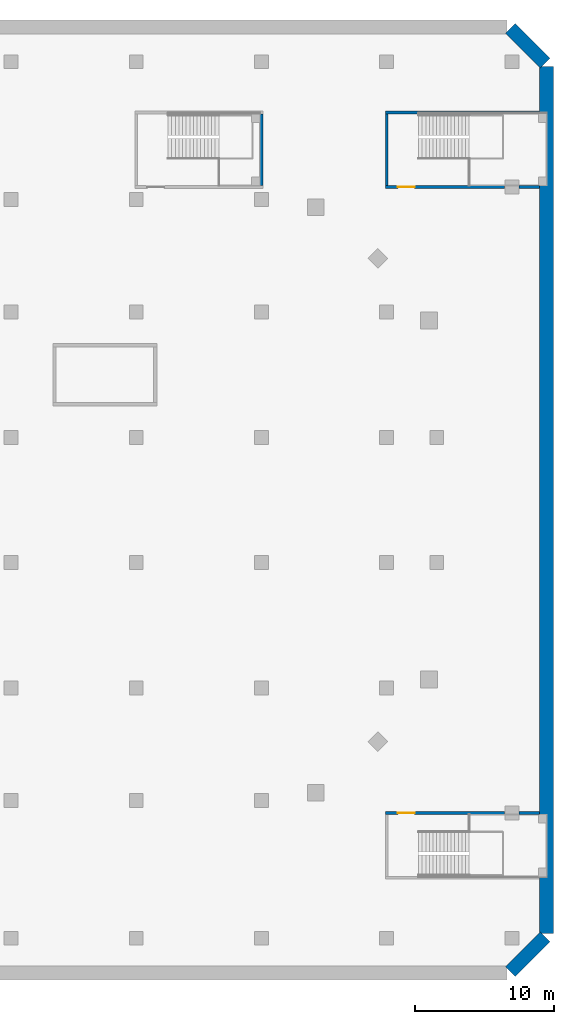
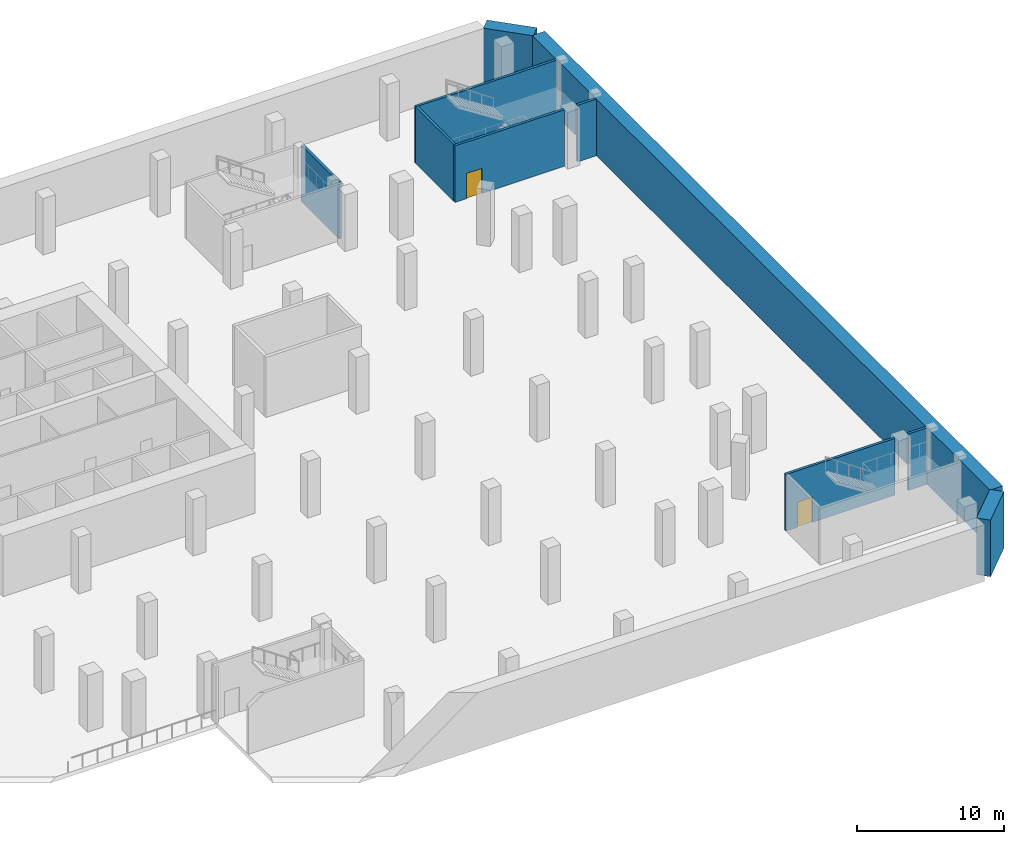
# One storey, part 10 of 19: 10 walls, 2 doors, 2 openings.
"""IFC4 building model written with IfcOpenShell, lengths in metres."""

from ifc_helpers import new_model, si_unit, direction, frame, frame_2d, origin, place, context, subcontext, project, spatial, rectangle, extrude, material, layer, layer_set, type_object, element, fill, save


model = new_model("IFC4")

# Units and contexts
model_context = context("Model", 3, precision=1e-05, world=origin(), true_north=direction((0.0, 1.0)))
body_context = subcontext(model_context, "Body", "Model", "MODEL_VIEW")
ifc_project = project(units=[si_unit("LENGTHUNIT", "METRE"), si_unit("AREAUNIT", "SQUARE_METRE"), si_unit("VOLUMEUNIT", "CUBIC_METRE"), si_unit("PLANEANGLEUNIT", "RADIAN"), si_unit("MASSUNIT", "GRAM", prefix="KILO")], contexts=[model_context])

# Site, building, storey
site_placement = place(None, origin())
site = spatial("IfcSite", under=ifc_project, at=site_placement, CompositionType="ELEMENT")
building_placement = place(site_placement, origin())
building = spatial("IfcBuilding", under=site, at=building_placement, Name="Cinnabar Reach Civic Tower", CompositionType="ELEMENT")
storey_placement = place(building_placement, frame((0.0, 0.0, -5.0)))
storey = spatial("IfcBuildingStorey", under=building, at=storey_placement, Name="B1", CompositionType="ELEMENT", Elevation=-5.0)

# Walls
ifc_material_1 = material(Name="Concrete C70", Category="concrete")
ifc_layer_1 = layer(ifc_material_1, 1.0)
ifc_layer_set_1 = layer_set([ifc_layer_1], Name="Basement wall 1000 EI 180")
wall_type_1 = type_object("IfcWallType", Name="Basement wall 1000 EI 180", PredefinedType="SOLIDWALL", material=ifc_layer_set_1)
wall_1_placement = place(storey_placement, frame((62.9004, 56.3924, 0.0), z_axis=(0.0, 0.0, 1.0), x_axis=(0.707106781187, -0.707106781187, 0.0)))
element("IfcWall", 1, at=wall_1_placement, inside=storey, type_object=wall_type_1, Name="Basement wall B1 5", PredefinedType="SOLIDWALL", context=body_context, shape_type="SweptSolid", body=[
    extrude(rectangle(XDim=3.5242, YDim=1.0, at=frame_2d((1.7621, 0.0))), origin(), (0.0, 0.0, 1.0), 4.7),
])
wall_2_placement = place(storey_placement, frame((65.5, 53.6408, 0.0), z_axis=(0.0, 0.0, 1.0), x_axis=(0.0, -1.0, 0.0)))
element("IfcWall", 2, at=wall_2_placement, inside=storey, type_object=wall_type_1, Name="Basement wall B1 6", PredefinedType="SOLIDWALL", context=body_context, shape_type="SweptSolid", body=[
    extrude(rectangle(XDim=62.2816, YDim=1.0, at=frame_2d((31.1408, 0.0))), origin(), (0.0, 0.0, 1.0), 4.7),
])
wall_3_placement = place(storey_placement, frame((65.3924, -8.9004, 0.0), z_axis=(0.0, 0.0, 1.0), x_axis=(-0.707106781187, -0.707106781187, 0.0)))
element("IfcWall", 3, at=wall_3_placement, inside=storey, type_object=wall_type_1, Name="Basement wall B1 7", PredefinedType="SOLIDWALL", context=body_context, shape_type="SweptSolid", body=[
    extrude(rectangle(XDim=3.5242, YDim=1.0, at=frame_2d((1.7621, 0.0))), origin(), (0.0, 0.0, 1.0), 4.7),
])

# Wall, opening, door
ifc_material_2 = material(Name="Concrete C40", Category="concrete")
ifc_layer_2 = layer(ifc_material_2, 0.2)
ifc_layer_set_2 = layer_set([ifc_layer_2], Name="Podium stair shaft wall 200 EI 120")
wall_type_2 = type_object("IfcWallType", Name="Podium stair shaft wall 200 EI 120", PredefinedType="SOLIDWALL", material=ifc_layer_set_2)
wall_4_placement = place(storey_placement, frame((53.9, 0.0, 0.0), z_axis=(0.0, 0.0, 1.0), x_axis=(1.0, 0.0, 0.0)))
wall_4 = element("IfcWall", 4, at=wall_4_placement, inside=storey, type_object=wall_type_2, Name="Wall B1 12", PredefinedType="SOLIDWALL", context=body_context, shape_type="SweptSolid", body=[
    extrude(rectangle(XDim=8.58, YDim=0.2, at=frame_2d((4.29, 0.0))), origin(), (0.0, 0.0, 1.0), 4.7),
])
opening_1_placement = place(wall_4_placement, frame((0.9, 0.0, 0.0)))
opening_1 = element("IfcOpeningElement", 5, at=opening_1_placement, cuts=wall_4, Name="Opening D1287", PredefinedType="OPENING", context=body_context, shape_type="SweptSolid", body=[
    extrude(rectangle(XDim=1.2, YDim=2.1, at=frame_2d((0.6, 1.05))), frame((0.0, 0.11, 0.0), z_axis=(0.0, -1.0, 0.0), x_axis=(1.0, 0.0, 0.0)), (0.0, 0.0, 1.0), 0.22),
])
ifc_material_3 = material(Name="Painted steel door leaf", Category="steel")
door_type = type_object("IfcDoorType", Name="Podium single door 1200x2100", OperationType="SINGLE_SWING_LEFT", PredefinedType="DOOR", material=ifc_material_3)
door_1_placement = place(opening_1_placement, frame((1.2, 0.0, 0.0), z_axis=(0.0, 0.0, 1.0), x_axis=(-1.0, 0.0, 0.0)))
door_1 = element("IfcDoor", 6, at=door_1_placement, inside=storey, type_object=door_type, Name="Door D1287", OperationType="SINGLE_SWING_LEFT", OverallHeight=2.1, OverallWidth=1.2, PredefinedType="DOOR", context=body_context, shape_type="SweptSolid", body=[
    extrude(rectangle(XDim=1.2, YDim=2.1, at=frame_2d((0.6, 1.05))), frame((0.0, 0.025, 0.0), z_axis=(0.0, -1.0, 0.0), x_axis=(1.0, 0.0, 0.0)), (0.0, 0.0, 1.0), 0.05),
])
fill(opening_1, door_1)

# Walls
wall_5_placement = place(storey_placement, frame((63.52, 0.0, 0.0), z_axis=(0.0, 0.0, 1.0), x_axis=(1.0, 0.0, 0.0)))
element("IfcWall", 7, at=wall_5_placement, inside=storey, type_object=wall_type_2, Name="Wall B1 13", PredefinedType="SOLIDWALL", context=body_context, shape_type="SweptSolid", body=[
    extrude(rectangle(XDim=1.48, YDim=0.2, at=frame_2d((0.74, 0.0))), origin(), (0.0, 0.0, 1.0), 4.7),
])
wall_6_placement = place(storey_placement, frame((54.0, 45.1, 0.0), z_axis=(0.0, 0.0, 1.0), x_axis=(0.0, 1.0, 0.0)))
element("IfcWall", 8, at=wall_6_placement, inside=storey, type_object=wall_type_2, Name="Wall B1 15", PredefinedType="SOLIDWALL", context=body_context, shape_type="SweptSolid", body=[
    extrude(rectangle(XDim=5.15, YDim=0.2, at=frame_2d((2.575, 0.0))), origin(), (0.0, 0.0, 1.0), 4.7),
])
wall_7_placement = place(storey_placement, frame((53.9, 50.35, 0.0), z_axis=(0.0, 0.0, 1.0), x_axis=(1.0, 0.0, 0.0)))
element("IfcWall", 9, at=wall_7_placement, inside=storey, type_object=wall_type_2, Name="Wall B1 16", PredefinedType="SOLIDWALL", context=body_context, shape_type="SweptSolid", body=[
    extrude(rectangle(XDim=11.1, YDim=0.2, at=frame_2d((5.55, 0.0))), origin(), (0.0, 0.0, 1.0), 4.7),
])

# Wall, opening, door
wall_8_placement = place(storey_placement, frame((53.9, 45.0, 0.0), z_axis=(0.0, 0.0, 1.0), x_axis=(1.0, 0.0, 0.0)))
wall_8 = element("IfcWall", 10, at=wall_8_placement, inside=storey, type_object=wall_type_2, Name="Wall B1 17", PredefinedType="SOLIDWALL", context=body_context, shape_type="SweptSolid", body=[
    extrude(rectangle(XDim=8.58, YDim=0.2, at=frame_2d((4.29, 0.0))), origin(), (0.0, 0.0, 1.0), 4.7),
])
opening_2_placement = place(wall_8_placement, frame((0.9, 0.0, 0.0)))
opening_2 = element("IfcOpeningElement", 11, at=opening_2_placement, cuts=wall_8, Name="Opening D1288", PredefinedType="OPENING", context=body_context, shape_type="SweptSolid", body=[
    extrude(rectangle(XDim=1.2, YDim=2.1, at=frame_2d((0.6, 1.05))), frame((0.0, 0.11, 0.0), z_axis=(0.0, -1.0, 0.0), x_axis=(1.0, 0.0, 0.0)), (0.0, 0.0, 1.0), 0.22),
])
door_2_placement = place(opening_2_placement, origin())
door_2 = element("IfcDoor", 12, at=door_2_placement, inside=storey, type_object=door_type, Name="Door D1288", OperationType="SINGLE_SWING_RIGHT", OverallHeight=2.1, OverallWidth=1.2, PredefinedType="DOOR", context=body_context, shape_type="SweptSolid", body=[
    extrude(rectangle(XDim=1.2, YDim=2.1, at=frame_2d((0.6, 1.05))), frame((0.0, 0.025, 0.0), z_axis=(0.0, -1.0, 0.0), x_axis=(1.0, 0.0, 0.0)), (0.0, 0.0, 1.0), 0.05),
])
fill(opening_2, door_2)

# Walls
wall_9_placement = place(storey_placement, frame((63.52, 45.0, 0.0), z_axis=(0.0, 0.0, 1.0), x_axis=(1.0, 0.0, 0.0)))
element("IfcWall", 13, at=wall_9_placement, inside=storey, type_object=wall_type_2, Name="Wall B1 18", PredefinedType="SOLIDWALL", context=body_context, shape_type="SweptSolid", body=[
    extrude(rectangle(XDim=1.48, YDim=0.2, at=frame_2d((0.74, 0.0))), origin(), (0.0, 0.0, 1.0), 4.7),
])
wall_10_placement = place(storey_placement, frame((45.0, 45.1, 0.0), z_axis=(0.0, 0.0, 1.0), x_axis=(0.0, 1.0, 0.0)))
element("IfcWall", 14, at=wall_10_placement, inside=storey, type_object=wall_type_2, Name="Wall B1 20", PredefinedType="SOLIDWALL", context=body_context, shape_type="SweptSolid", body=[
    extrude(rectangle(XDim=5.15, YDim=0.2, at=frame_2d((2.575, 0.0))), origin(), (0.0, 0.0, 1.0), 4.7),
])

save(model, "model.ifc")
